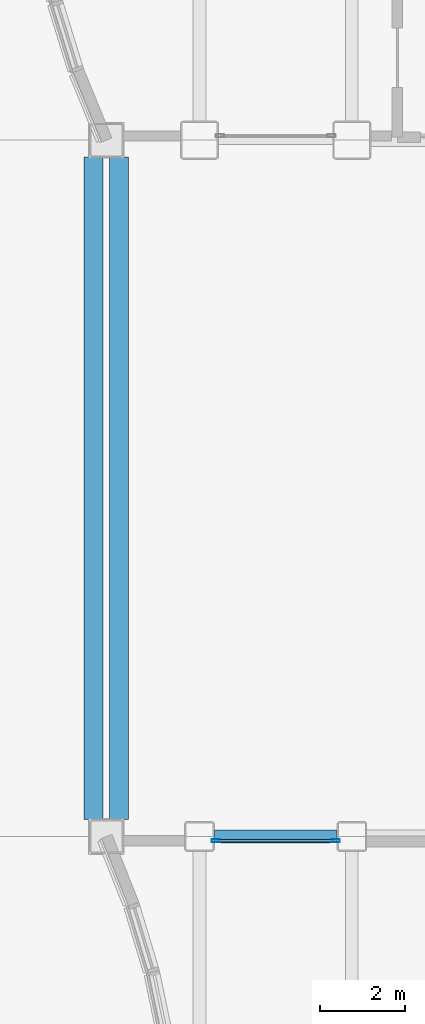
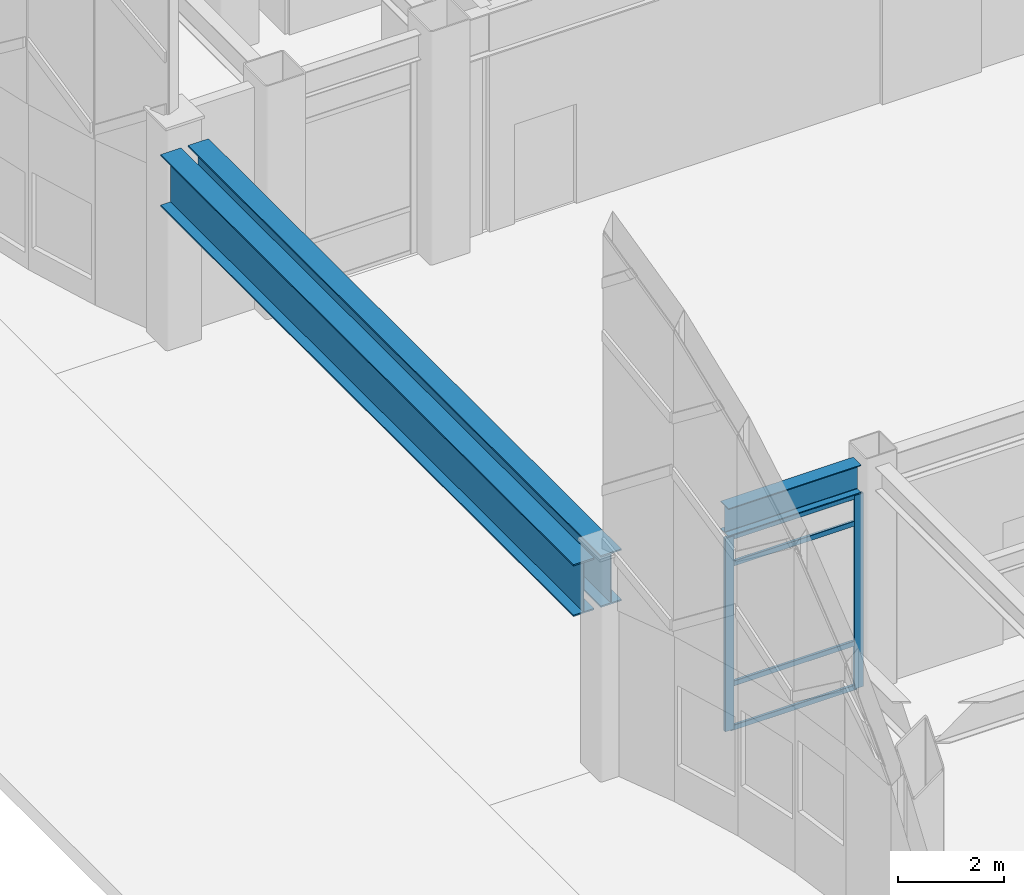
# One storey, part 20 of 165: 6 members, 3 beams, 1 element without a shape of its own.
"""IFC4 building model written with IfcOpenShell, lengths in metres."""

from ifc_helpers import new_model, si_unit, direction, frame, origin, origin_2d, place, context, subcontext, project, spatial, hollow_rectangle, i_section, extrude, material, layer, layer_set, material_profile, profile_set, type_object, element, aggregate, save


model = new_model("IFC4")

# Units and contexts
model_context = context("Model", 3, precision=1e-05, world=origin(), true_north=direction((0.0, 1.0)))
body_context = subcontext(model_context, "Body", "Model", "MODEL_VIEW")
ifc_project = project(units=[si_unit("LENGTHUNIT", "METRE"), si_unit("AREAUNIT", "SQUARE_METRE"), si_unit("VOLUMEUNIT", "CUBIC_METRE"), si_unit("PLANEANGLEUNIT", "RADIAN"), si_unit("MASSUNIT", "GRAM", prefix="KILO")], contexts=[model_context])

# Site, building, storey
site_placement = place(None, origin())
site = spatial("IfcSite", under=ifc_project, at=site_placement, CompositionType="ELEMENT")
building_placement = place(site_placement, origin())
building = spatial("IfcBuilding", under=site, at=building_placement, Name="Kazehara Bluff Congress Hotel", CompositionType="ELEMENT")
storey_placement = place(building_placement, origin())
storey = spatial("IfcBuildingStorey", under=building, at=storey_placement, Name="L00", CompositionType="ELEMENT", Elevation=0.0)

# Curtain wall, members
ifc_material_1 = material(Name="Anodised aluminium", Category="aluminium")
ifc_layer = layer(ifc_material_1, 0.159912109375)
ifc_layer_set = layer_set([ifc_layer], Name="Anodised aluminium")
curtain_wall_type = type_object("IfcCurtainWallType", Name="TP-CW-97", PredefinedType="NOTDEFINED", material=ifc_layer_set)
curtain_wall_placement = place(storey_placement, origin())
curtain_wall = element("IfcCurtainWall", 1, at=curtain_wall_placement, inside=storey, type_object=curtain_wall_type, Name="L00 curtain wall CW-97 CW-ENC-V2-L00-660-3190", PredefinedType="NOTDEFINED")
ifc_material_2 = material(Name="Anodised aluminium", Category="aluminium")
ifc_material_profile_1 = material_profile(ifc_material_2, hollow_rectangle(XDim=0.070068359375, YDim=0.199951171875, WallThickness=0.0048828125, InnerFilletRadius=0.0048828125, OuterFilletRadius=0.010009765625, at=origin_2d()))
ifc_profile_set_1 = profile_set([ifc_material_profile_1], Name="Anodised aluminium")
member_type_1 = type_object("IfcMemberType", Name="TP-CWM-03", PredefinedType="MULLION", material=ifc_profile_set_1)
member_1_placement = place(storey_placement, frame((5.18505859375, 31.89990234375, 0.0), z_axis=(0.0, 0.0, 1.0), x_axis=(0.0, 1.0, 0.0)))
member_1 = element("IfcMember", 2, at=member_1_placement, type_object=member_type_1, Name="CW-97 mullion 1", PredefinedType="MULLION", context=body_context, shape_type="SweptSolid", body=[
    extrude(hollow_rectangle(XDim=0.070068359375, YDim=0.199951171875, WallThickness=0.0048828125, InnerFilletRadius=0.0048828125, OuterFilletRadius=0.010009765625, at=origin_2d()), origin(), (0.0, 0.0, 1.0), 4.47509765625),
])
member_2_placement = place(storey_placement, frame((8.014892578125, 31.89990234375, 0.0), z_axis=(0.0, 0.0, 1.0), x_axis=(0.0, 1.0, 0.0)))
member_2 = element("IfcMember", 3, at=member_2_placement, type_object=member_type_1, Name="CW-97 mullion 2", PredefinedType="MULLION", context=body_context, shape_type="SweptSolid", body=[
    extrude(hollow_rectangle(XDim=0.070068359375, YDim=0.199951171875, WallThickness=0.0048828125, InnerFilletRadius=0.0048828125, OuterFilletRadius=0.010009765625, at=origin_2d()), origin(), (0.0, 0.0, 1.0), 4.47509765625),
])
ifc_material_3 = material(Name="Anodised aluminium", Category="aluminium")
ifc_material_profile_2 = material_profile(ifc_material_3, hollow_rectangle(XDim=0.06005859375, YDim=0.1201171875, WallThickness=0.00390625, InnerFilletRadius=0.00390625, OuterFilletRadius=0.008056640625, at=origin_2d()))
ifc_profile_set_2 = profile_set([ifc_material_profile_2], Name="Anodised aluminium")
member_type_2 = type_object("IfcMemberType", Name="TP-CWT-01", PredefinedType="USERDEFINED", material=ifc_profile_set_2)
member_3_placement = place(storey_placement, frame((5.219970703125, 31.89990234375, 0.030029296875), z_axis=(1.0, 0.0, 0.0), x_axis=(0.0, 1.0, 0.0)))
member_3 = element("IfcMember", 4, at=member_3_placement, type_object=member_type_2, Name="CW-97 transom 1.1", ObjectType="TRANSOM", PredefinedType="USERDEFINED", context=body_context, shape_type="SweptSolid", body=[
    extrude(hollow_rectangle(XDim=0.06005859375, YDim=0.1201171875, WallThickness=0.00390625, InnerFilletRadius=0.00390625, OuterFilletRadius=0.008056640625, at=origin_2d()), origin(), (0.0, 0.0, 1.0), 2.760009765625),
])
member_4_placement = place(storey_placement, frame((5.219970703125, 31.89990234375, 1.050048828125), z_axis=(1.0, 0.0, 0.0), x_axis=(0.0, 1.0, 0.0)))
member_4 = element("IfcMember", 5, at=member_4_placement, type_object=member_type_2, Name="CW-97 transom 1.2", ObjectType="TRANSOM", PredefinedType="USERDEFINED", context=body_context, shape_type="SweptSolid", body=[
    extrude(hollow_rectangle(XDim=0.06005859375, YDim=0.1201171875, WallThickness=0.00390625, InnerFilletRadius=0.00390625, OuterFilletRadius=0.008056640625, at=origin_2d()), origin(), (0.0, 0.0, 1.0), 2.760009765625),
])
member_5_placement = place(storey_placement, frame((5.219970703125, 31.89990234375, 3.824951171875), z_axis=(1.0, 0.0, 0.0), x_axis=(0.0, 1.0, 0.0)))
member_5 = element("IfcMember", 6, at=member_5_placement, type_object=member_type_2, Name="CW-97 transom 1.3", ObjectType="TRANSOM", PredefinedType="USERDEFINED", context=body_context, shape_type="SweptSolid", body=[
    extrude(hollow_rectangle(XDim=0.06005859375, YDim=0.1201171875, WallThickness=0.00390625, InnerFilletRadius=0.00390625, OuterFilletRadius=0.008056640625, at=origin_2d()), origin(), (0.0, 0.0, 1.0), 2.760009765625),
])
member_6_placement = place(storey_placement, frame((5.219970703125, 31.89990234375, 4.445068359375), z_axis=(1.0, 0.0, 0.0), x_axis=(0.0, 1.0, 0.0)))
member_6 = element("IfcMember", 7, at=member_6_placement, type_object=member_type_2, Name="CW-97 transom 1.4", ObjectType="TRANSOM", PredefinedType="USERDEFINED", context=body_context, shape_type="SweptSolid", body=[
    extrude(hollow_rectangle(XDim=0.06005859375, YDim=0.1201171875, WallThickness=0.00390625, InnerFilletRadius=0.00390625, OuterFilletRadius=0.008056640625, at=origin_2d()), origin(), (0.0, 0.0, 1.0), 2.760009765625),
])
aggregate(curtain_wall, [member_1, member_2, member_3, member_4, member_5, member_6])

# Beams
ifc_material_4 = material(Name="Steel SN490B", Category="steel")
ifc_material_profile_3 = material_profile(ifc_material_4, i_section(OverallWidth=0.300048828125, OverallDepth=0.64990234375, WebThickness=0.011962890625, FlangeThickness=0.02001953125, FilletRadius=0.012939453125, at=origin_2d()))
ifc_profile_set_3 = profile_set([ifc_material_profile_3], Name="Steel SN490B")
beam_type_1 = type_object("IfcBeamType", Name="TP-G-03", PredefinedType="BEAM", material=ifc_profile_set_3)
beam_placement = place(storey_placement, frame((5.14990234375, 32.0, 4.824951171875), z_axis=(1.0, 0.0, 0.0), x_axis=(0.0, 1.0, 0.0)))
element("IfcBeam", 8, at=beam_placement, inside=storey, type_object=beam_type_1, Name="L00 girder G-03 88", PredefinedType="BEAM", context=body_context, shape_type="SweptSolid", body=[
    extrude(i_section(OverallWidth=0.300048828125, OverallDepth=0.64990234375, WebThickness=0.011962890625, FlangeThickness=0.02001953125, FilletRadius=0.012939453125, at=origin_2d()), origin(), (0.0, 0.0, 1.0), 2.900146484375),
])
ifc_material_5 = material(Name="Steel SN490B", Category="steel")
ifc_material_profile_4 = material_profile(ifc_material_5, i_section(OverallWidth=0.449951171875, OverallDepth=1.199951171875, WebThickness=0.02001953125, FlangeThickness=0.031982421875, at=origin_2d()))
ifc_profile_set_4 = profile_set([ifc_material_profile_4], Name="Steel SN490B")
beam_type_2 = type_object("IfcBeamType", Name="TP-G-10", PredefinedType="BEAM", material=ifc_profile_set_4)
for number, where, z_axis, x_axis, name in (
    (9, (2.300048828125, 32.39990234375, 4.0), (0.0, 1.0, 0.0), (-1.0, 0.0, 0.0), "L00 forecourt wave-ribbon portal girder G-10 W"),
    (10, (2.89990234375, 32.39990234375, 4.0), (0.0, 1.0, 0.0), (-1.0, 0.0, 0.0), "L00 forecourt wave-ribbon portal girder G-10 E"),
):
    element("IfcBeam", number, at=place(storey_placement, frame(where, z_axis=z_axis, x_axis=x_axis)), inside=storey, type_object=beam_type_2, Name=name, PredefinedType="BEAM", context=body_context, shape_type="SweptSolid", body=[
        extrude(i_section(OverallWidth=0.449951171875, OverallDepth=1.199951171875, WebThickness=0.02001953125, FlangeThickness=0.031982421875, at=origin_2d()), origin(), (0.0, 0.0, 1.0), 15.650146484375),
    ])

save(model, "model.ifc")
